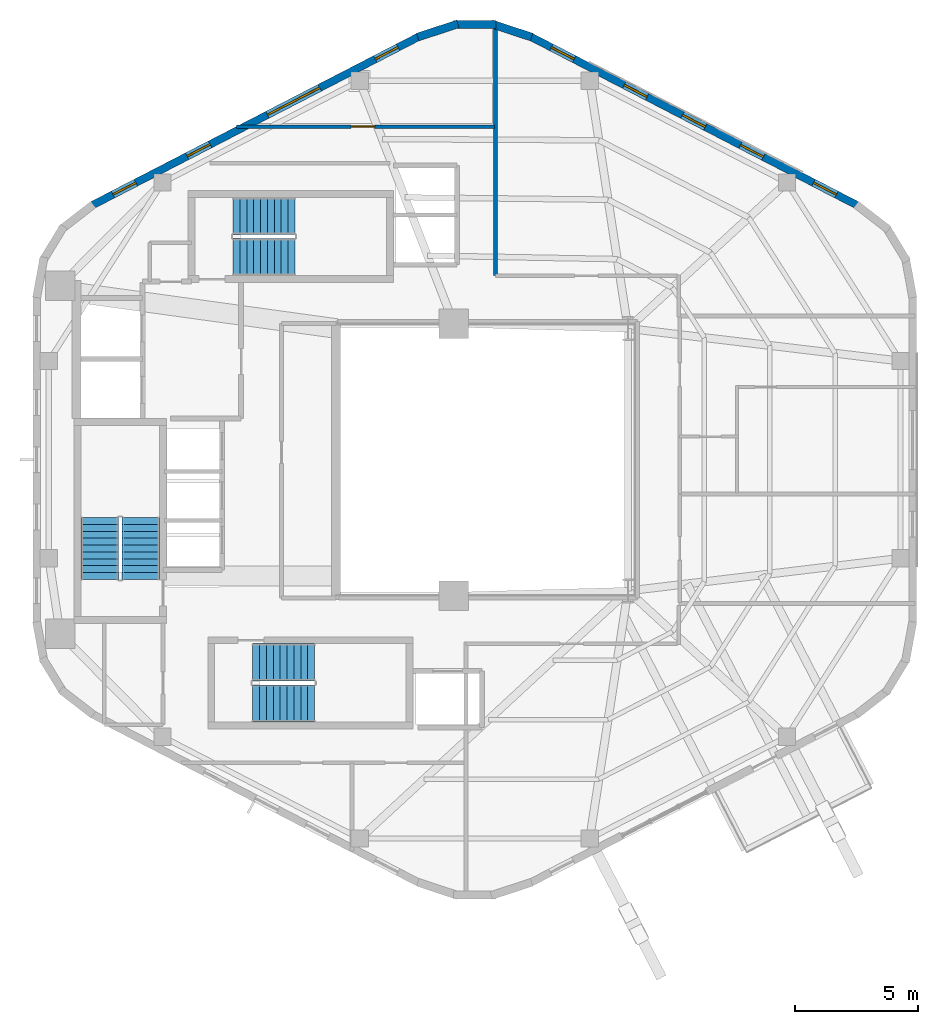
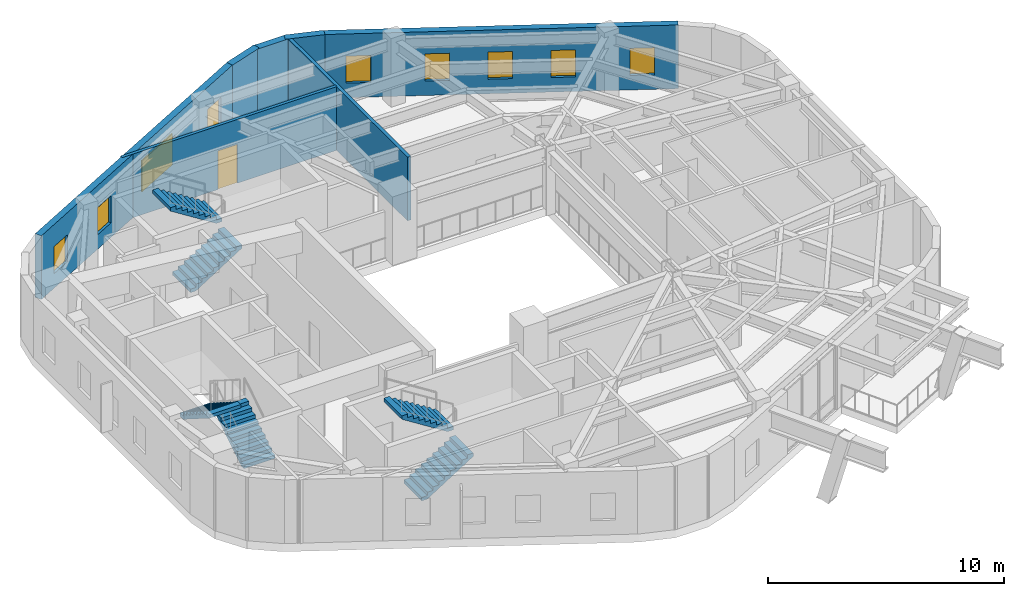
# One storey, part 7 of 9: 9 windows, 7 walls, 6 stair flights, 1 door, 10 openings, 3 elements without a shape of their own.
"""IFC4 building model written with IfcOpenShell, lengths in metres."""

from ifc_helpers import new_model, si_unit, direction, frame, frame_2d, origin, place, context, subcontext, project, spatial, polyline, rectangle, outline, extrude, material, layer, layer_set, type_object, element, fill, aggregate, save


model = new_model("IFC4")

# Units and contexts
model_context = context("Model", 3, precision=1e-05, world=origin(), true_north=direction((0.0, 1.0)))
body_context = subcontext(model_context, "Body", "Model", "MODEL_VIEW")
ifc_project = project(units=[si_unit("LENGTHUNIT", "METRE"), si_unit("AREAUNIT", "SQUARE_METRE"), si_unit("VOLUMEUNIT", "CUBIC_METRE"), si_unit("PLANEANGLEUNIT", "RADIAN"), si_unit("MASSUNIT", "GRAM", prefix="KILO"), si_unit("THERMODYNAMICTEMPERATUREUNIT", "KELVIN"), si_unit("POWERUNIT", "WATT")], contexts=[model_context])

# Site, building, storey
site_placement = place(None, origin())
site = spatial("IfcSite", under=ifc_project, at=site_placement, CompositionType="ELEMENT")
building_placement = place(site_placement, origin())
building = spatial("IfcBuilding", under=site, at=building_placement, Name="Skarre Station Tower", CompositionType="ELEMENT")
storey_placement = place(building_placement, frame((0.0, 0.0, 220.60009765625)))
storey = spatial("IfcBuildingStorey", under=building, at=storey_placement, Name="L60", CompositionType="ELEMENT", Elevation=220.60009765625)

# Wall, opening, door
ifc_material_1 = material(Name="Acoustic Steel-Stud Gypsum Partition", Category="steel")
ifc_layer_1 = layer(ifc_material_1, 0.14990234375, Name="Acoustic Steel-Stud Gypsum Partition")
ifc_layer_set_1 = layer_set([ifc_layer_1], Name="Acoustic Steel-Stud Gypsum Partition")
wall_type_1 = type_object("IfcWallType", Name="Fire-Rated Corridor Acoustic Partition 150", PredefinedType="PARTITIONING", material=ifc_layer_set_1)
wall_1_placement = place(storey_placement, frame((34.0, 37.580078125, 0.0), z_axis=(0.0, 0.0, 1.0), x_axis=(-1.0, 0.0, 0.0)))
wall_1 = element("IfcWall", 1, at=wall_1_placement, inside=storey, type_object=wall_type_1, Name="L60 Interior Partition WL-PT-L60-NWW1-CW", PredefinedType="PARTITIONING", context=body_context, shape_type="SweptSolid", body=[
    extrude(rectangle(XDim=10.5009765625, YDim=0.14990234375, at=frame_2d((5.25048828125, 0.0))), origin(), (0.0, 0.0, 1.0), 3.289794921875),
])
opening_1_placement = place(wall_1_placement, frame((4.87890625, 0.0, 0.0)))
opening_1 = element("IfcOpeningElement", 2, at=opening_1_placement, cuts=wall_1, Name="Opening DR-FD60", PredefinedType="OPENING", context=body_context, shape_type="SweptSolid", body=[
    extrude(rectangle(XDim=0.9599609375, YDim=2.0, at=frame_2d((0.47998046875, 1.0))), frame((0.0, 0.0849609375, 0.0), z_axis=(0.0, -1.0, 0.0), x_axis=(1.0, 0.0, 0.0)), (0.0, 0.0, 1.0), 0.169921875),
])
ifc_material_2 = material(Name="Nordic White-Oak Veneer Solid-Core Fire Leaf", Category="wood")
door_type = type_object("IfcDoorType", Name="Corridor Suite Entry Fire Door FD60 960x2150", OperationType="SINGLE_SWING_LEFT", PredefinedType="DOOR", material=ifc_material_2)
door_placement = place(opening_1_placement, origin())
door = element("IfcDoor", 3, at=door_placement, inside=storey, type_object=door_type, Name="L60 NWW1 Entry Door", OperationType="SINGLE_SWING_LEFT", OverallHeight=2.0, OverallWidth=0.9599609375, PredefinedType="DOOR", context=body_context, shape_type="SweptSolid", body=[
    extrude(rectangle(XDim=0.9599609375, YDim=2.0, at=frame_2d((0.47998046875, 1.0))), frame((0.0, 0.02490234375, 0.0), z_axis=(0.0, -1.0, 0.0), x_axis=(1.0, 0.0, 0.0)), (0.0, 0.0, 1.0), 0.050048828125),
])
fill(opening_1, door)

# Walls
ifc_material_3 = material(Name="Precast concrete C45/55", Category="concrete")
ifc_layer_2 = layer(ifc_material_3, 0.330078125, Name="Precast concrete C45/55")
ifc_layer_set_2 = layer_set([ifc_layer_2], Name="Precast concrete C45/55")
wall_type_2 = type_object("IfcWallType", Name="Nordic Rounded Corner Precast Wall 330", PredefinedType="STANDARD", material=ifc_layer_set_2)
wall_2_placement = place(storey_placement, frame((30.882080078125, 41.23095703125, 0.0), z_axis=(0.0, 0.0, 1.0), x_axis=(0.949713440491, 0.313120393699, 0.0)))
element("IfcWall", 4, at=wall_2_placement, inside=storey, type_object=wall_type_2, Name="L60 Rounded Corner Precast Wall F1-1", PredefinedType="STANDARD", context=body_context, shape_type="SweptSolid", body=[
    extrude(rectangle(XDim=1.7216796875, YDim=0.330078125, at=frame_2d((0.86083984375, 0.0))), origin(), (0.0, 0.0, 1.0), 3.289794921875),
])
wall_3_placement = place(storey_placement, frame((32.339111328125, 41.740966796875, 0.0), z_axis=(0.0, 0.0, 1.0), x_axis=(1.0, 0.0, 0.0)))
element("IfcWall", 5, at=wall_3_placement, inside=storey, type_object=wall_type_2, Name="L60 Rounded Corner Precast Wall F1-2", PredefinedType="STANDARD", context=body_context, shape_type="SweptSolid", body=[
    extrude(rectangle(XDim=1.721923828125, YDim=0.330078125, at=frame_2d((0.86083984375, 0.0))), origin(), (0.0, 0.0, 1.0), 3.289794921875),
])
wall_4_placement = place(storey_placement, frame((33.883056640625, 41.77001953125, 0.0), z_axis=(0.0, 0.0, 1.0), x_axis=(0.949713440491, -0.313120393699, 0.0)))
element("IfcWall", 6, at=wall_4_placement, inside=storey, type_object=wall_type_2, Name="L60 Rounded Corner Precast Wall F1-3", PredefinedType="STANDARD", context=body_context, shape_type="SweptSolid", body=[
    extrude(rectangle(XDim=1.7216796875, YDim=0.330078125, at=frame_2d((0.86083984375, 0.0))), origin(), (0.0, 0.0, 1.0), 3.289794921875),
])

# Wall, openings, windows
ifc_layer_3 = layer(ifc_material_3, 0.31005859375, Name="Precast concrete C45/55")
ifc_layer_set_3 = layer_set([ifc_layer_3], Name="Precast concrete C45/55")
wall_type_3 = type_object("IfcWallType", Name="Nordic Upper-Zone Precast Facet Wall 310", PredefinedType="STANDARD", material=ifc_layer_set_3)
wall_5_placement = place(storey_placement, frame((35.43701171875, 41.27001953125, 0.0), z_axis=(0.0, 0.0, 1.0), x_axis=(0.888581481622, -0.458718814218, 0.0)))
wall_5 = element("IfcWall", 7, at=wall_5_placement, inside=storey, type_object=wall_type_3, Name="L60 Facet 0 Nordic Precast Masonry Wall", PredefinedType="STANDARD", context=body_context, shape_type="SweptSolid", body=[
    extrude(rectangle(XDim=15.076904296875, YDim=0.31005859375, at=frame_2d((7.53857421875, 0.0))), origin(), (0.0, 0.0, 1.0), 3.289794921875),
])
opening_2_placement = place(wall_5_placement, frame((0.998046875, 0.0, 0.75)))
opening_2 = element("IfcOpeningElement", 8, at=opening_2_placement, cuts=wall_5, Name="Opening WN-SLT", PredefinedType="OPENING", context=body_context, shape_type="SweptSolid", body=[
    extrude(rectangle(XDim=1.050048828125, YDim=1.39990234375, at=frame_2d((0.52490234375, 0.699951171875))), frame((0.0, 0.1650390625, 0.0), z_axis=(0.0, -1.0, 0.0), x_axis=(1.0, 0.0, 0.0)), (0.0, 0.0, 1.0), 0.330078125),
])
opening_3_placement = place(wall_5_placement, frame((4.343994140625, 0.0, 0.75)))
opening_3 = element("IfcOpeningElement", 9, at=opening_3_placement, cuts=wall_5, Name="Opening WN-SLT", PredefinedType="OPENING", context=body_context, shape_type="SweptSolid", body=[
    extrude(rectangle(XDim=1.050048828125, YDim=1.39990234375, at=frame_2d((0.52490234375, 0.699951171875))), frame((0.0, 0.1650390625, 0.0), z_axis=(0.0, -1.0, 0.0), x_axis=(1.0, 0.0, 0.0)), (0.0, 0.0, 1.0), 0.330078125),
])
opening_4_placement = place(wall_5_placement, frame((7.012939453125, 0.0, 0.75)))
opening_4 = element("IfcOpeningElement", 10, at=opening_4_placement, cuts=wall_5, Name="Opening WN-SLT", PredefinedType="OPENING", context=body_context, shape_type="SweptSolid", body=[
    extrude(rectangle(XDim=1.050048828125, YDim=1.39990234375, at=frame_2d((0.52490234375, 0.699951171875))), frame((0.0, 0.1650390625, 0.0), z_axis=(0.0, -1.0, 0.0), x_axis=(1.0, 0.0, 0.0)), (0.0, 0.0, 1.0), 0.330078125),
])
opening_5_placement = place(wall_5_placement, frame((9.680908203125, 0.0, 0.75)))
opening_5 = element("IfcOpeningElement", 11, at=opening_5_placement, cuts=wall_5, Name="Opening WN-SLT", PredefinedType="OPENING", context=body_context, shape_type="SweptSolid", body=[
    extrude(rectangle(XDim=1.050048828125, YDim=1.39990234375, at=frame_2d((0.52490234375, 0.699951171875))), frame((0.0, 0.1650390625, 0.0), z_axis=(0.0, -1.0, 0.0), x_axis=(1.0, 0.0, 0.0)), (0.0, 0.0, 1.0), 0.330078125),
])
opening_6_placement = place(wall_5_placement, frame((13.029052734375, 0.0, 0.75)))
opening_6 = element("IfcOpeningElement", 12, at=opening_6_placement, cuts=wall_5, Name="Opening WN-SLT", PredefinedType="OPENING", context=body_context, shape_type="SweptSolid", body=[
    extrude(rectangle(XDim=1.050048828125, YDim=1.39990234375, at=frame_2d((0.52490234375, 0.699951171875))), frame((0.0, 0.1650390625, 0.0), z_axis=(0.0, -1.0, 0.0), x_axis=(1.0, 0.0, 0.0)), (0.0, 0.0, 1.0), 0.330078125),
])
ifc_material_4 = material(Name="Low-Iron Triple Glazing with Bronze Anodized Frame", Category="glass")
window_type_1 = type_object("IfcWindowType", Name="Nordic Corner Slot Window 1050x1400", PartitioningType="SINGLE_PANEL", PredefinedType="WINDOW", material=ifc_material_4)
window_1_placement = place(opening_2_placement, origin())
window_1 = element("IfcWindow", 13, at=window_1_placement, inside=storey, type_object=window_type_1, Name="L60 Facade Window WL-FAC-L60-F0-1", OverallHeight=1.39990234375, OverallWidth=1.050048828125, PartitioningType="SINGLE_PANEL", PredefinedType="WINDOW", context=body_context, shape_type="SweptSolid", body=[
    extrude(rectangle(XDim=1.050048828125, YDim=1.39990234375, at=frame_2d((0.52490234375, 0.699951171875))), frame((0.0, 0.030029296875, 0.0), z_axis=(0.0, -1.0, 0.0), x_axis=(1.0, 0.0, 0.0)), (0.0, 0.0, 1.0), 0.06005859375),
])
fill(opening_2, window_1)
window_2_placement = place(opening_3_placement, origin())
window_2 = element("IfcWindow", 14, at=window_2_placement, inside=storey, type_object=window_type_1, Name="L60 Facade Window WL-FAC-L60-F0-2", OverallHeight=1.39990234375, OverallWidth=1.050048828125, PartitioningType="SINGLE_PANEL", PredefinedType="WINDOW", context=body_context, shape_type="SweptSolid", body=[
    extrude(rectangle(XDim=1.050048828125, YDim=1.39990234375, at=frame_2d((0.52490234375, 0.699951171875))), frame((0.0, 0.030029296875, 0.0), z_axis=(0.0, -1.0, 0.0), x_axis=(1.0, 0.0, 0.0)), (0.0, 0.0, 1.0), 0.06005859375),
])
fill(opening_3, window_2)
window_3_placement = place(opening_4_placement, origin())
window_3 = element("IfcWindow", 15, at=window_3_placement, inside=storey, type_object=window_type_1, Name="L60 Facade Window WL-FAC-L60-F0-3", OverallHeight=1.39990234375, OverallWidth=1.050048828125, PartitioningType="SINGLE_PANEL", PredefinedType="WINDOW", context=body_context, shape_type="SweptSolid", body=[
    extrude(rectangle(XDim=1.050048828125, YDim=1.39990234375, at=frame_2d((0.52490234375, 0.699951171875))), frame((0.0, 0.030029296875, 0.0), z_axis=(0.0, -1.0, 0.0), x_axis=(1.0, 0.0, 0.0)), (0.0, 0.0, 1.0), 0.06005859375),
])
fill(opening_4, window_3)
window_4_placement = place(opening_5_placement, origin())
window_4 = element("IfcWindow", 16, at=window_4_placement, inside=storey, type_object=window_type_1, Name="L60 Facade Window WL-FAC-L60-F0-4", OverallHeight=1.39990234375, OverallWidth=1.050048828125, PartitioningType="SINGLE_PANEL", PredefinedType="WINDOW", context=body_context, shape_type="SweptSolid", body=[
    extrude(rectangle(XDim=1.050048828125, YDim=1.39990234375, at=frame_2d((0.52490234375, 0.699951171875))), frame((0.0, 0.030029296875, 0.0), z_axis=(0.0, -1.0, 0.0), x_axis=(1.0, 0.0, 0.0)), (0.0, 0.0, 1.0), 0.06005859375),
])
fill(opening_5, window_4)
window_5_placement = place(opening_6_placement, origin())
window_5 = element("IfcWindow", 17, at=window_5_placement, inside=storey, type_object=window_type_1, Name="L60 Facade Window WL-FAC-L60-F0-5", OverallHeight=1.39990234375, OverallWidth=1.050048828125, PartitioningType="SINGLE_PANEL", PredefinedType="WINDOW", context=body_context, shape_type="SweptSolid", body=[
    extrude(rectangle(XDim=1.050048828125, YDim=1.39990234375, at=frame_2d((0.52490234375, 0.699951171875))), frame((0.0, 0.030029296875, 0.0), z_axis=(0.0, -1.0, 0.0), x_axis=(1.0, 0.0, 0.0)), (0.0, 0.0, 1.0), 0.06005859375),
])
fill(opening_6, window_5)

wall_6_placement = place(storey_placement, frame((17.56591796875, 34.35400390625, 0.0), z_axis=(0.0, 0.0, 1.0), x_axis=(0.888581481622, 0.458718814218, 0.0)))
wall_6 = element("IfcWall", 18, at=wall_6_placement, inside=storey, type_object=wall_type_3, Name="L60 Facet 1 Nordic Precast Masonry Wall", PredefinedType="STANDARD", context=body_context, shape_type="SweptSolid", body=[
    extrude(rectangle(XDim=15.076904296875, YDim=0.31005859375, at=frame_2d((7.53857421875, 0.0))), origin(), (0.0, 0.0, 1.0), 3.289794921875),
])
opening_7_placement = place(wall_6_placement, frame((0.998046875, 0.0, 0.75)))
opening_7 = element("IfcOpeningElement", 19, at=opening_7_placement, cuts=wall_6, Name="Opening WN-SLT", PredefinedType="OPENING", context=body_context, shape_type="SweptSolid", body=[
    extrude(rectangle(XDim=1.050048828125, YDim=1.39990234375, at=frame_2d((0.52490234375, 0.699951171875))), frame((0.0, 0.1650390625, 0.0), z_axis=(0.0, -1.0, 0.0), x_axis=(1.0, 0.0, 0.0)), (0.0, 0.0, 1.0), 0.330078125),
])
opening_8_placement = place(wall_6_placement, frame((4.403076171875, 0.0, 0.75)))
opening_8 = element("IfcOpeningElement", 20, at=opening_8_placement, cuts=wall_6, Name="Opening WN-SLT", PredefinedType="OPENING", context=body_context, shape_type="SweptSolid", body=[
    extrude(rectangle(XDim=1.050048828125, YDim=1.39990234375, at=frame_2d((0.52490234375, 0.699951171875))), frame((0.0, 0.1650390625, 0.0), z_axis=(0.0, -1.0, 0.0), x_axis=(1.0, 0.0, 0.0)), (0.0, 0.0, 1.0), 0.330078125),
])
opening_9_placement = place(wall_6_placement, frame((8.0859375, 0.0, 0.75)))
opening_9 = element("IfcOpeningElement", 21, at=opening_9_placement, cuts=wall_6, Name="Opening WN-Z4A", PredefinedType="OPENING", context=body_context, shape_type="SweptSolid", body=[
    extrude(rectangle(XDim=2.39990234375, YDim=1.60009765625, at=frame_2d((1.199951171875, 0.800048828125))), frame((0.0, 0.1650390625, 0.0), z_axis=(0.0, -1.0, 0.0), x_axis=(1.0, 0.0, 0.0)), (0.0, 0.0, 1.0), 0.330078125),
])
opening_10_placement = place(wall_6_placement, frame((13.029052734375, 0.0, 0.75)))
opening_10 = element("IfcOpeningElement", 22, at=opening_10_placement, cuts=wall_6, Name="Opening WN-SLT", PredefinedType="OPENING", context=body_context, shape_type="SweptSolid", body=[
    extrude(rectangle(XDim=1.050048828125, YDim=1.39990234375, at=frame_2d((0.52490234375, 0.699951171875))), frame((0.0, 0.1650390625, 0.0), z_axis=(0.0, -1.0, 0.0), x_axis=(1.0, 0.0, 0.0)), (0.0, 0.0, 1.0), 0.330078125),
])
window_6_placement = place(opening_7_placement, origin())
window_6 = element("IfcWindow", 23, at=window_6_placement, inside=storey, type_object=window_type_1, Name="L60 Facade Window WL-FAC-L60-F1-1", OverallHeight=1.39990234375, OverallWidth=1.050048828125, PartitioningType="SINGLE_PANEL", PredefinedType="WINDOW", context=body_context, shape_type="SweptSolid", body=[
    extrude(rectangle(XDim=1.050048828125, YDim=1.39990234375, at=frame_2d((0.52490234375, 0.699951171875))), frame((0.0, 0.030029296875, 0.0), z_axis=(0.0, -1.0, 0.0), x_axis=(1.0, 0.0, 0.0)), (0.0, 0.0, 1.0), 0.06005859375),
])
fill(opening_7, window_6)
window_7_placement = place(opening_8_placement, origin())
window_7 = element("IfcWindow", 24, at=window_7_placement, inside=storey, type_object=window_type_1, Name="L60 Facade Window WL-FAC-L60-F1-2", OverallHeight=1.39990234375, OverallWidth=1.050048828125, PartitioningType="SINGLE_PANEL", PredefinedType="WINDOW", context=body_context, shape_type="SweptSolid", body=[
    extrude(rectangle(XDim=1.050048828125, YDim=1.39990234375, at=frame_2d((0.52490234375, 0.699951171875))), frame((0.0, 0.030029296875, 0.0), z_axis=(0.0, -1.0, 0.0), x_axis=(1.0, 0.0, 0.0)), (0.0, 0.0, 1.0), 0.06005859375),
])
fill(opening_8, window_7)
window_8_placement = place(opening_10_placement, origin())
window_8 = element("IfcWindow", 25, at=window_8_placement, inside=storey, type_object=window_type_1, Name="L60 Facade Window WL-FAC-L60-F1-4", OverallHeight=1.39990234375, OverallWidth=1.050048828125, PartitioningType="SINGLE_PANEL", PredefinedType="WINDOW", context=body_context, shape_type="SweptSolid", body=[
    extrude(rectangle(XDim=1.050048828125, YDim=1.39990234375, at=frame_2d((0.52490234375, 0.699951171875))), frame((0.0, 0.030029296875, 0.0), z_axis=(0.0, -1.0, 0.0), x_axis=(1.0, 0.0, 0.0)), (0.0, 0.0, 1.0), 0.06005859375),
])
fill(opening_10, window_8)
window_type_2 = type_object("IfcWindowType", Name="Nordic Crown Panorama Window 2400x1600", PartitioningType="SINGLE_PANEL", PredefinedType="WINDOW", material=ifc_material_4)
window_9_placement = place(opening_9_placement, origin())
window_9 = element("IfcWindow", 26, at=window_9_placement, inside=storey, type_object=window_type_2, Name="L60 Facade Window WL-FAC-L60-F1-3", OverallHeight=1.60009765625, OverallWidth=2.39990234375, PartitioningType="SINGLE_PANEL", PredefinedType="WINDOW", context=body_context, shape_type="SweptSolid", body=[
    extrude(rectangle(XDim=2.39990234375, YDim=1.60009765625, at=frame_2d((1.199951171875, 0.800048828125))), frame((0.0, 0.030029296875, 0.0), z_axis=(0.0, -1.0, 0.0), x_axis=(1.0, 0.0, 0.0)), (0.0, 0.0, 1.0), 0.06005859375),
])
fill(opening_9, window_9)

# Wall
ifc_layer_4 = layer(ifc_material_1, 0.1650390625, Name="Acoustic Steel-Stud Gypsum Partition")
ifc_layer_set_4 = layer_set([ifc_layer_4], Name="Acoustic Steel-Stud Gypsum Partition")
wall_type_4 = type_object("IfcWallType", Name="Suite Demising Acoustic Partition 165", PredefinedType="PARTITIONING", material=ifc_layer_set_4)
wall_7_placement = place(storey_placement, frame((34.0400390625, 31.5, 0.0), z_axis=(0.0, 0.0, 1.0), x_axis=(0.0, 1.0, 0.0)))
element("IfcWall", 27, at=wall_7_placement, inside=storey, type_object=wall_type_4, Name="L60 Interior Partition WL-PT-L60-NW-WBND", PredefinedType="PARTITIONING", context=body_context, shape_type="SweptSolid", body=[
    extrude(rectangle(XDim=10.318115234375, YDim=0.1650390625, at=frame_2d((5.1591796875, 0.0))), origin(), (0.0, 0.0, 1.0), 3.289794921875),
])

# Stair, stair flights
ifc_material_5 = material(Name="Concrete C40/50", Category="concrete")
stair_type_1 = type_object("IfcStairType", Name="Reinforced Concrete Exit Stair ST-1", PredefinedType="HALF_TURN_STAIR", material=ifc_material_5)
stair_1_placement = place(storey_placement, origin())
stair_1 = element("IfcStair", 28, at=stair_1_placement, inside=storey, type_object=stair_type_1, Name="L60 Core Exit Stair ST-1", PredefinedType="HALF_TURN_STAIR")
stair_flight_type_1 = type_object("IfcStairFlightType", Name="Reinforced Concrete Stair Flight ST-1", PredefinedType="STRAIGHT", material=ifc_material_5)
stair_flight_1_placement = place(storey_placement, frame((19.590087890625, 19.1201171875, 0.0), z_axis=(0.0, 0.0, 1.0), x_axis=(0.0, 1.0, 0.0)))
stair_flight_1 = element("IfcStairFlight", 29, at=stair_flight_1_placement, type_object=stair_flight_type_1, Name="ST-1 flight 1", NumberOfRisers=10, NumberOfTreads=9, PredefinedType="STRAIGHT", RiserHeight=0.1775, TreadLength=0.28, context=body_context, shape_type="SweptSolid", body=[
    extrude(outline(polyline([(0.0, 0.0), (0.0, 0.177490234375), (0.280029296875, 0.177490234375), (0.280029296875, 0.35498046875), (0.56005859375, 0.35498046875), (0.56005859375, 0.532470703125), (0.840087890625, 0.532470703125), (0.840087890625, 0.7099609375), (1.1201171875, 0.7099609375), (1.1201171875, 0.887451171875), (1.39990234375, 0.887451171875), (1.39990234375, 1.06494140625), (1.679931640625, 1.06494140625), (1.679931640625, 1.242431640625), (1.9599609375, 1.242431640625), (1.9599609375, 1.419921875), (2.239990234375, 1.419921875), (2.239990234375, 1.597412109375), (2.52001953125, 1.597412109375), (2.52001953125, 1.77490234375), (2.52001953125, 1.419921875), (0.280029296875, 0.0), (0.0, 0.0)])), frame((0.0, 0.760009765625, 0.0), z_axis=(0.0, -1.0, 0.0), x_axis=(1.0, 0.0, 0.0)), (0.0, 0.0, 1.0), 1.52001953125),
])
stair_flight_2_placement = place(storey_placement, frame((17.909912109375, 21.639892578125, 1.77490234375), z_axis=(0.0, 0.0, 1.0), x_axis=(0.0, -1.0, 0.0)))
stair_flight_2 = element("IfcStairFlight", 30, at=stair_flight_2_placement, type_object=stair_flight_type_1, Name="ST-1 flight 2", NumberOfRisers=10, NumberOfTreads=9, PredefinedType="STRAIGHT", RiserHeight=0.1775, TreadLength=0.28, context=body_context, shape_type="SweptSolid", body=[
    extrude(outline(polyline([(0.0, 0.0), (0.0, 0.177490234375), (0.280029296875, 0.177490234375), (0.280029296875, 0.35498046875), (0.56005859375, 0.35498046875), (0.56005859375, 0.532470703125), (0.840087890625, 0.532470703125), (0.840087890625, 0.7099609375), (1.1201171875, 0.7099609375), (1.1201171875, 0.887451171875), (1.39990234375, 0.887451171875), (1.39990234375, 1.06494140625), (1.679931640625, 1.06494140625), (1.679931640625, 1.242431640625), (1.9599609375, 1.242431640625), (1.9599609375, 1.419921875), (2.239990234375, 1.419921875), (2.239990234375, 1.597412109375), (2.52001953125, 1.597412109375), (2.52001953125, 1.77490234375), (2.52001953125, 1.419921875), (0.280029296875, 0.0), (0.0, 0.0)])), frame((0.0, 0.760009765625, 0.0), z_axis=(0.0, -1.0, 0.0), x_axis=(1.0, 0.0, 0.0)), (0.0, 0.0, 1.0), 1.52001953125),
])
aggregate(stair_1, [stair_flight_1, stair_flight_2])

stair_type_2 = type_object("IfcStairType", Name="Reinforced Concrete Exit Stair ST-2", PredefinedType="HALF_TURN_STAIR", material=ifc_material_5)
stair_2_placement = place(storey_placement, origin())
stair_2 = element("IfcStair", 31, at=stair_2_placement, inside=storey, type_object=stair_type_2, Name="L60 Core Exit Stair ST-2", PredefinedType="HALF_TURN_STAIR")
stair_flight_type_2 = type_object("IfcStairFlightType", Name="Reinforced Concrete Stair Flight ST-2", PredefinedType="STRAIGHT", material=ifc_material_5)
stair_flight_3_placement = place(storey_placement, frame((24.14990234375, 14.06005859375, 0.0), z_axis=(0.0, 0.0, 1.0), x_axis=(1.0, 0.0, 0.0)))
stair_flight_3 = element("IfcStairFlight", 32, at=stair_flight_3_placement, type_object=stair_flight_type_2, Name="ST-2 flight 1", NumberOfRisers=10, NumberOfTreads=9, PredefinedType="STRAIGHT", RiserHeight=0.1775, TreadLength=0.28, context=body_context, shape_type="SweptSolid", body=[
    extrude(outline(polyline([(0.0, 0.0), (0.0, 0.177490234375), (0.280029296875, 0.177490234375), (0.280029296875, 0.35498046875), (0.56005859375, 0.35498046875), (0.56005859375, 0.532470703125), (0.840087890625, 0.532470703125), (0.840087890625, 0.7099609375), (1.1201171875, 0.7099609375), (1.1201171875, 0.887451171875), (1.39990234375, 0.887451171875), (1.39990234375, 1.06494140625), (1.679931640625, 1.06494140625), (1.679931640625, 1.242431640625), (1.9599609375, 1.242431640625), (1.9599609375, 1.419921875), (2.239990234375, 1.419921875), (2.239990234375, 1.597412109375), (2.52001953125, 1.597412109375), (2.52001953125, 1.77490234375), (2.52001953125, 1.419921875), (0.280029296875, 0.0), (0.0, 0.0)])), frame((0.0, 0.760009765625, 0.0), z_axis=(0.0, -1.0, 0.0), x_axis=(1.0, 0.0, 0.0)), (0.0, 0.0, 1.0), 1.52001953125),
])
stair_flight_4_placement = place(storey_placement, frame((26.669921875, 15.739990234375, 1.77490234375), z_axis=(0.0, 0.0, 1.0), x_axis=(-1.0, 0.0, 0.0)))
stair_flight_4 = element("IfcStairFlight", 33, at=stair_flight_4_placement, type_object=stair_flight_type_2, Name="ST-2 flight 2", NumberOfRisers=10, NumberOfTreads=9, PredefinedType="STRAIGHT", RiserHeight=0.1775, TreadLength=0.28, context=body_context, shape_type="SweptSolid", body=[
    extrude(outline(polyline([(0.0, 0.0), (0.0, 0.177490234375), (0.280029296875, 0.177490234375), (0.280029296875, 0.35498046875), (0.56005859375, 0.35498046875), (0.56005859375, 0.532470703125), (0.840087890625, 0.532470703125), (0.840087890625, 0.7099609375), (1.1201171875, 0.7099609375), (1.1201171875, 0.887451171875), (1.39990234375, 0.887451171875), (1.39990234375, 1.06494140625), (1.679931640625, 1.06494140625), (1.679931640625, 1.242431640625), (1.9599609375, 1.242431640625), (1.9599609375, 1.419921875), (2.239990234375, 1.419921875), (2.239990234375, 1.597412109375), (2.52001953125, 1.597412109375), (2.52001953125, 1.77490234375), (2.52001953125, 1.419921875), (0.280029296875, 0.0), (0.0, 0.0)])), frame((0.0, 0.760009765625, 0.0), z_axis=(0.0, -1.0, 0.0), x_axis=(1.0, 0.0, 0.0)), (0.0, 0.0, 1.0), 1.52001953125),
])
aggregate(stair_2, [stair_flight_3, stair_flight_4])

stair_type_3 = type_object("IfcStairType", Name="Reinforced Concrete Exit Stair ST-3", PredefinedType="HALF_TURN_STAIR", material=ifc_material_5)
stair_3_placement = place(storey_placement, origin())
stair_3 = element("IfcStair", 34, at=stair_3_placement, inside=storey, type_object=stair_type_3, Name="L60 Core Exit Stair ST-3", PredefinedType="HALF_TURN_STAIR")
stair_flight_type_3 = type_object("IfcStairFlightType", Name="Reinforced Concrete Stair Flight ST-3", PredefinedType="STRAIGHT", material=ifc_material_5)
stair_flight_5_placement = place(storey_placement, frame((23.35009765625, 32.260009765625, 0.0), z_axis=(0.0, 0.0, 1.0), x_axis=(1.0, 0.0, 0.0)))
stair_flight_5 = element("IfcStairFlight", 35, at=stair_flight_5_placement, type_object=stair_flight_type_3, Name="ST-3 flight 1", NumberOfRisers=10, NumberOfTreads=9, PredefinedType="STRAIGHT", RiserHeight=0.1775, TreadLength=0.28, context=body_context, shape_type="SweptSolid", body=[
    extrude(outline(polyline([(0.0, 0.0), (0.0, 0.177490234375), (0.280029296875, 0.177490234375), (0.280029296875, 0.35498046875), (0.56005859375, 0.35498046875), (0.56005859375, 0.532470703125), (0.840087890625, 0.532470703125), (0.840087890625, 0.7099609375), (1.1201171875, 0.7099609375), (1.1201171875, 0.887451171875), (1.39990234375, 0.887451171875), (1.39990234375, 1.06494140625), (1.679931640625, 1.06494140625), (1.679931640625, 1.242431640625), (1.9599609375, 1.242431640625), (1.9599609375, 1.419921875), (2.239990234375, 1.419921875), (2.239990234375, 1.597412109375), (2.52001953125, 1.597412109375), (2.52001953125, 1.77490234375), (2.52001953125, 1.419921875), (0.280029296875, 0.0), (0.0, 0.0)])), frame((0.0, 0.760009765625, 0.0), z_axis=(0.0, -1.0, 0.0), x_axis=(1.0, 0.0, 0.0)), (0.0, 0.0, 1.0), 1.52001953125),
])
stair_flight_6_placement = place(storey_placement, frame((25.8701171875, 33.93994140625, 1.77490234375), z_axis=(0.0, 0.0, 1.0), x_axis=(-1.0, 0.0, 0.0)))
stair_flight_6 = element("IfcStairFlight", 36, at=stair_flight_6_placement, type_object=stair_flight_type_3, Name="ST-3 flight 2", NumberOfRisers=10, NumberOfTreads=9, PredefinedType="STRAIGHT", RiserHeight=0.1775, TreadLength=0.28, context=body_context, shape_type="SweptSolid", body=[
    extrude(outline(polyline([(0.0, 0.0), (0.0, 0.177490234375), (0.280029296875, 0.177490234375), (0.280029296875, 0.35498046875), (0.56005859375, 0.35498046875), (0.56005859375, 0.532470703125), (0.840087890625, 0.532470703125), (0.840087890625, 0.7099609375), (1.1201171875, 0.7099609375), (1.1201171875, 0.887451171875), (1.39990234375, 0.887451171875), (1.39990234375, 1.06494140625), (1.679931640625, 1.06494140625), (1.679931640625, 1.242431640625), (1.9599609375, 1.242431640625), (1.9599609375, 1.419921875), (2.239990234375, 1.419921875), (2.239990234375, 1.597412109375), (2.52001953125, 1.597412109375), (2.52001953125, 1.77490234375), (2.52001953125, 1.419921875), (0.280029296875, 0.0), (0.0, 0.0)])), frame((0.0, 0.760009765625, 0.0), z_axis=(0.0, -1.0, 0.0), x_axis=(1.0, 0.0, 0.0)), (0.0, 0.0, 1.0), 1.52001953125),
])
aggregate(stair_3, [stair_flight_5, stair_flight_6])

save(model, "model.ifc")
